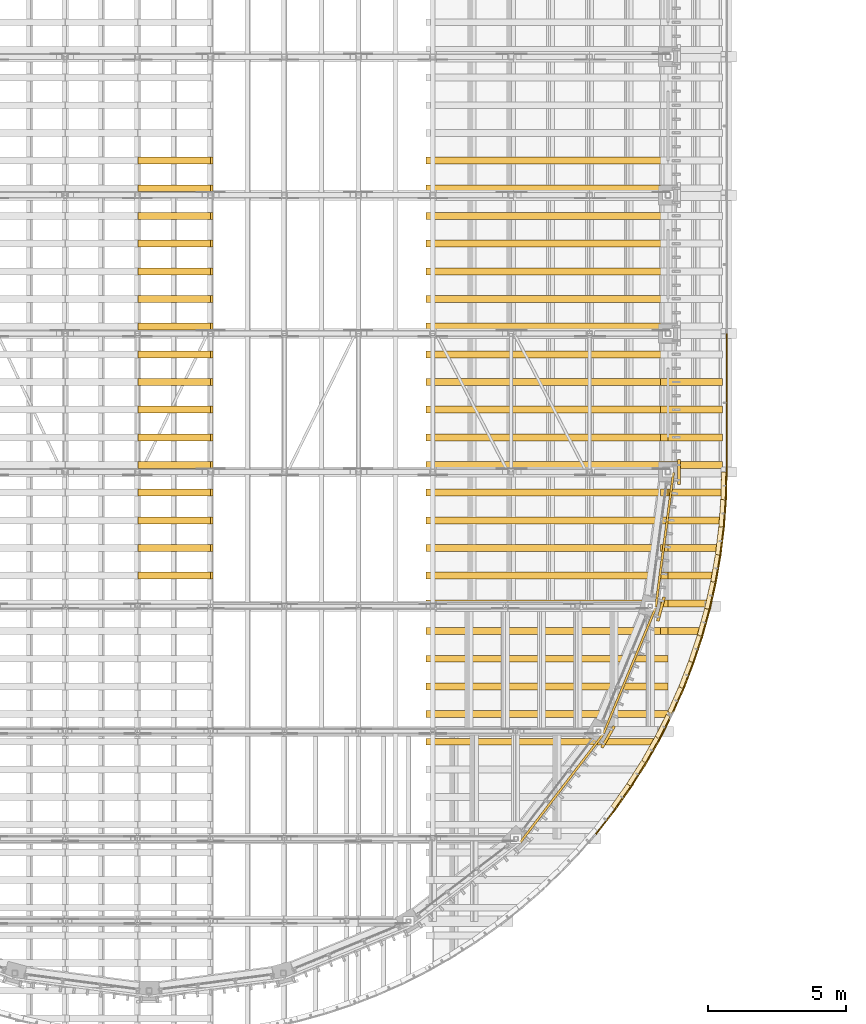
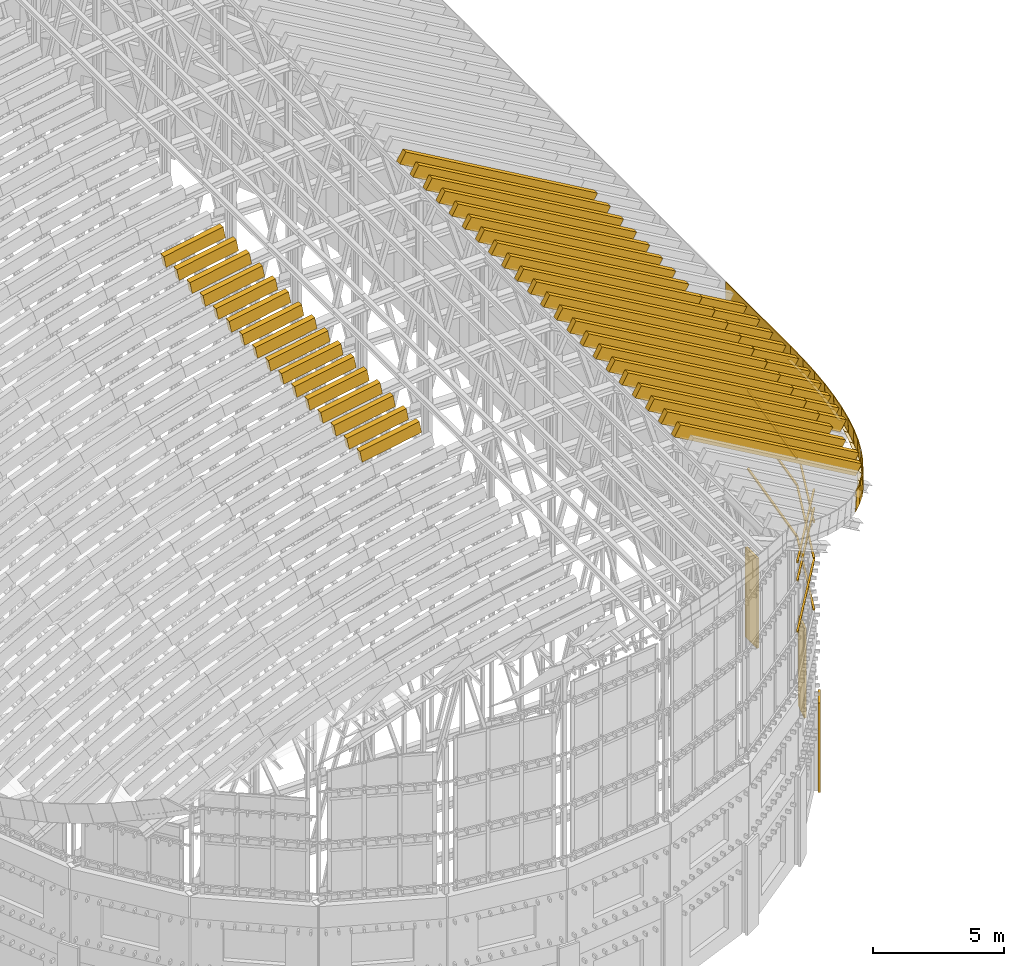
# One storey, part 87 of 105: 88 coverings.
"""IFC4 building model written with IfcOpenShell, lengths in metres."""

from ifc_helpers import new_model, si_unit, direction, frame, origin, origin_2d, place, context, subcontext, project, spatial, polyline, rectangle, outline, extrude, material, layer, layer_set, material_profile, profile_set, type_object, element, save


model = new_model("IFC4")

# Units and contexts
model_context = context("Model", 3, precision=1e-05, world=origin(), true_north=direction((0.0, 1.0)))
body_context = subcontext(model_context, "Body", "Model", "MODEL_VIEW")
ifc_project = project(units=[si_unit("LENGTHUNIT", "METRE"), si_unit("AREAUNIT", "SQUARE_METRE"), si_unit("VOLUMEUNIT", "CUBIC_METRE"), si_unit("PLANEANGLEUNIT", "RADIAN"), si_unit("MASSUNIT", "GRAM", prefix="KILO")], contexts=[model_context])

# Site, building, storey
site_placement = place(None, origin())
site = spatial("IfcSite", under=ifc_project, at=site_placement, CompositionType="ELEMENT")
building_placement = place(site_placement, origin())
building = spatial("IfcBuilding", under=site, at=building_placement, Name="Wasatch Bagh Community Centre", CompositionType="ELEMENT")
storey_placement = place(building_placement, frame((0.0, 0.0, 16.800048828125)))
storey = spatial("IfcBuildingStorey", under=building, at=storey_placement, Name="L04", CompositionType="ELEMENT", Elevation=16.800048828125)

# Coverings
ifc_material_1 = material(Name="White precast concrete C40/50", Category="concrete")
ifc_layer = layer(ifc_material_1, 0.10009765625)
ifc_layer_set = layer_set([ifc_layer], Name="White precast concrete C40/50")
covering_type_1 = type_object("IfcCoveringType", Name="MH column casing", PredefinedType="CLADDING", material=ifc_layer_set)
for number, where, z_axis, x_axis, name in (
    (1, (55.14990234375, 35.0, 0.0), (0.0, 0.0, 1.0), (0.0, 1.0, 0.0), "Column casing E1 L04"),
    (2, (52.58447265625, 25.425048828125, 0.0), (0.0, 0.0, 1.0), (0.5, 0.866025403784, 0.0), "Column casing S10 L04"),
    (3, (54.49755859375, 30.043701171875, 0.0), (0.0, 0.0, 1.0), (0.258819045103, 0.965925826289, 0.0), "Column casing S11 L04"),
):
    element("IfcCovering", number, at=place(storey_placement, frame(where, z_axis=z_axis, x_axis=x_axis)), inside=storey, type_object=covering_type_1, Name=name, PredefinedType="CLADDING", context=body_context, shape_type="SweptSolid", body=[
        extrude(rectangle(XDim=0.89990234375, YDim=0.10009765625, at=origin_2d()), origin(), (0.0, 0.0, 1.0), 4.199951171875),
    ])
ifc_material_2 = material(Name="ASTM A653 Grade 50 steel, zinc-aluminium coated", Category="steel")
ifc_material_profile_1 = material_profile(ifc_material_2, outline(polyline([(-0.080078125, 0.0029296875), (0.152099609375, 0.0029296875), (0.152099609375, -0.031982421875), (0.14892578125, -0.031982421875), (0.14892578125, 0.0), (-0.080078125, 0.0), (-0.080078125, 0.0029296875)])), Name="DRIP EDGE")
ifc_profile_set_1 = profile_set([ifc_material_profile_1], Name="ASTM A653 Grade 50 steel, zinc-aluminium coated")
covering_type_2 = type_object("IfcCoveringType", Name="MH drip edge", PredefinedType="CLADDING", material=ifc_profile_set_1)
covering_1_placement = place(storey_placement, frame((56.75, 34.99609375, 12.657470703125), z_axis=(-0.024632773831, -0.999597962047, 0.014040681083), x_axis=(0.865676575734, -0.028352948585, -0.499800136587)))
element("IfcCovering", 4, at=covering_1_placement, inside=storey, type_object=covering_type_2, Name="Drip edge 1", PredefinedType="CLADDING", context=body_context, shape_type="SweptSolid", body=[
    extrude(outline(polyline([(-0.080078125, 0.0029296875), (0.152099609375, 0.0029296875), (0.152099609375, -0.031982421875), (0.14892578125, -0.031982421875), (0.14892578125, 0.0), (-0.080078125, 0.0), (-0.080078125, 0.0029296875)])), origin(), (0.0, 0.0, 1.0), 0.9912109375),
])
covering_2_placement = place(storey_placement, frame((56.72509765625, 33.99755859375, 12.671630859375), z_axis=(-0.073351333397, -0.996396636215, 0.042583156637), x_axis=(0.862907939356, -0.084815696918, -0.498192920216)))
element("IfcCovering", 5, at=covering_2_placement, inside=storey, type_object=covering_type_2, Name="Drip edge 2", PredefinedType="CLADDING", context=body_context, shape_type="SweptSolid", body=[
    extrude(outline(polyline([(-0.080078125, 0.0029296875), (0.152099609375, 0.0029296875), (0.152099609375, -0.031982421875), (0.14892578125, -0.031982421875), (0.14892578125, 0.0), (-0.080078125, 0.0), (-0.080078125, 0.0029296875)])), origin(), (0.0, 0.0, 1.0), 0.991943359375),
])
covering_3_placement = place(storey_placement, frame((56.651611328125, 33.00146484375, 12.71435546875), z_axis=(-0.122154734654, -0.990018654301, 0.070294273865), x_axis=(0.857379658969, -0.140936242514, -0.495012217963)))
element("IfcCovering", 6, at=covering_3_placement, inside=storey, type_object=covering_type_2, Name="Drip edge 3", PredefinedType="CLADDING", context=body_context, shape_type="SweptSolid", body=[
    extrude(outline(polyline([(-0.080078125, 0.0029296875), (0.152099609375, 0.0029296875), (0.152099609375, -0.031982421875), (0.14892578125, -0.031982421875), (0.14892578125, 0.0), (-0.080078125, 0.0), (-0.080078125, 0.0029296875)])), origin(), (0.0, 0.0, 1.0), 0.993408203125),
])
covering_4_placement = place(storey_placement, frame((56.529052734375, 32.010009765625, 12.784912109375), z_axis=(-0.17020010461, -0.980489939813, 0.09834328811), x_axis=(0.849125844548, -0.196569259266, -0.490250779124)))
element("IfcCovering", 7, at=covering_4_placement, inside=storey, type_object=covering_type_2, Name="Drip edge 4", PredefinedType="CLADDING", context=body_context, shape_type="SweptSolid", body=[
    extrude(outline(polyline([(-0.080078125, 0.0029296875), (0.152099609375, 0.0029296875), (0.152099609375, -0.031982421875), (0.14892578125, -0.031982421875), (0.14892578125, 0.0), (-0.080078125, 0.0), (-0.080078125, 0.0029296875)])), origin(), (0.0, 0.0, 1.0), 0.99560546875),
])
covering_5_placement = place(storey_placement, frame((56.358154296875, 31.026123046875, 12.883544921875), z_axis=(-0.21730734679, -0.967983232047, 0.125642267998), x_axis=(0.838301819857, -0.251014818657, -0.483985144028)))
element("IfcCovering", 8, at=covering_5_placement, inside=storey, type_object=covering_type_2, Name="Drip edge 5", PredefinedType="CLADDING", context=body_context, shape_type="SweptSolid", body=[
    extrude(outline(polyline([(-0.080078125, 0.0029296875), (0.152099609375, 0.0029296875), (0.152099609375, -0.031982421875), (0.14892578125, -0.031982421875), (0.14892578125, 0.0), (-0.080078125, 0.0), (-0.080078125, 0.0029296875)])), origin(), (0.0, 0.0, 1.0), 0.998779296875),
])
covering_6_placement = place(storey_placement, frame((56.13916015625, 30.051513671875, 13.010009765625), z_axis=(-0.263697621566, -0.952525480672, 0.152180067848), x_axis=(0.824903968921, -0.304458872788, -0.476275379207)))
element("IfcCovering", 9, at=covering_6_placement, inside=storey, type_object=covering_type_2, Name="Drip edge 6", PredefinedType="CLADDING", context=body_context, shape_type="SweptSolid", body=[
    extrude(outline(polyline([(-0.080078125, 0.0029296875), (0.152099609375, 0.0029296875), (0.152099609375, -0.031982421875), (0.14892578125, -0.031982421875), (0.14892578125, 0.0), (-0.080078125, 0.0), (-0.080078125, 0.0029296875)])), origin(), (0.0, 0.0, 1.0), 1.002685546875),
])
covering_7_placement = place(storey_placement, frame((55.87255859375, 29.0888671875, 13.1640625), z_axis=(-0.308620162801, -0.934345724615, 0.178189960455), x_axis=(0.809171085906, -0.356367881279, -0.467166016451)))
element("IfcCovering", 10, at=covering_7_placement, inside=storey, type_object=covering_type_2, Name="Drip edge 7", PredefinedType="CLADDING", context=body_context, shape_type="SweptSolid", body=[
    extrude(outline(polyline([(-0.080078125, 0.0029296875), (0.152099609375, 0.0029296875), (0.152099609375, -0.031982421875), (0.14892578125, -0.031982421875), (0.14892578125, 0.0), (-0.080078125, 0.0), (-0.080078125, 0.0029296875)])), origin(), (0.0, 0.0, 1.0), 1.007080078125),
])
covering_8_placement = place(storey_placement, frame((55.55908203125, 28.140625, 13.344970703125), z_axis=(-0.352399016954, -0.913439477895, 0.203576160376), x_axis=(0.791057287422, -0.40697458411, -0.456727551068)))
element("IfcCovering", 11, at=covering_8_placement, inside=storey, type_object=covering_type_2, Name="Drip edge 8", PredefinedType="CLADDING", context=body_context, shape_type="SweptSolid", body=[
    extrude(outline(polyline([(-0.080078125, 0.0029296875), (0.152099609375, 0.0029296875), (0.152099609375, -0.031982421875), (0.14892578125, -0.031982421875), (0.14892578125, 0.0), (-0.080078125, 0.0), (-0.080078125, 0.0029296875)])), origin(), (0.0, 0.0, 1.0), 1.01220703125),
])
covering_9_placement = place(storey_placement, frame((55.199462890625, 27.208740234375, 13.552734375), z_axis=(-0.394606440293, -0.890203343422, 0.227648335464), x_axis=(0.770938033808, -0.455563374735, -0.445102864098)))
element("IfcCovering", 12, at=covering_9_placement, inside=storey, type_object=covering_type_2, Name="Drip edge 9", PredefinedType="CLADDING", context=body_context, shape_type="SweptSolid", body=[
    extrude(outline(polyline([(-0.080078125, 0.0029296875), (0.152099609375, 0.0029296875), (0.152099609375, -0.031982421875), (0.14892578125, -0.031982421875), (0.14892578125, 0.0), (-0.080078125, 0.0), (-0.080078125, 0.0029296875)])), origin(), (0.0, 0.0, 1.0), 1.017822265625),
])
covering_10_placement = place(storey_placement, frame((54.748291015625, 26.2041015625, 13.81298828125), z_axis=(-0.435192259549, -0.864532300448, 0.251379391976), x_axis=(0.748704241973, -0.50257725153, -0.432270822861)))
element("IfcCovering", 13, at=covering_10_placement, inside=storey, type_object=covering_type_2, Name="Drip edge 11", PredefinedType="CLADDING", context=body_context, shape_type="SweptSolid", body=[
    extrude(outline(polyline([(-0.080078125, 0.0029296875), (0.152099609375, 0.0029296875), (0.152099609375, -0.031982421875), (0.14892578125, -0.031982421875), (0.14892578125, 0.0), (-0.080078125, 0.0), (-0.080078125, 0.0029296875)])), origin(), (0.0, 0.0, 1.0), 0.917724609375),
])
covering_11_placement = place(storey_placement, frame((54.34521484375, 25.40380859375, 14.0458984375), z_axis=(-0.474014729858, -0.836928556016, 0.273606703141), x_axis=(0.724813701103, -0.547312151294, -0.418442956374)))
element("IfcCovering", 14, at=covering_11_placement, inside=storey, type_object=covering_type_2, Name="Drip edge 12", PredefinedType="CLADDING", context=body_context, shape_type="SweptSolid", body=[
    extrude(outline(polyline([(-0.080078125, 0.0029296875), (0.152099609375, 0.0029296875), (0.152099609375, -0.031982421875), (0.14892578125, -0.031982421875), (0.14892578125, 0.0), (-0.080078125, 0.0), (-0.080078125, 0.0029296875)])), origin(), (0.0, 0.0, 1.0), 1.030517578125),
])
covering_12_placement = place(storey_placement, frame((53.852783203125, 24.53466796875, 14.330078125), z_axis=(-0.511164958761, -0.807226431192, 0.2951201005), x_axis=(0.699079319041, -0.590241890062, -0.403611963283)))
element("IfcCovering", 15, at=covering_12_placement, inside=storey, type_object=covering_type_2, Name="Drip edge 13", PredefinedType="CLADDING", context=body_context, shape_type="SweptSolid", body=[
    extrude(outline(polyline([(-0.080078125, 0.0029296875), (0.152099609375, 0.0029296875), (0.152099609375, -0.031982421875), (0.14892578125, -0.031982421875), (0.14892578125, 0.0), (-0.080078125, 0.0), (-0.080078125, 0.0029296875)])), origin(), (0.0, 0.0, 1.0), 1.037353515625),
])
covering_13_placement = place(storey_placement, frame((53.318115234375, 23.691162109375, 14.638671875), z_axis=(-0.546205941691, -0.775953669839, 0.315523329603), x_axis=(0.672033962451, -0.630789882254, -0.387910399137)))
element("IfcCovering", 16, at=covering_13_placement, inside=storey, type_object=covering_type_2, Name="Drip edge 14", PredefinedType="CLADDING", context=body_context, shape_type="SweptSolid", body=[
    extrude(outline(polyline([(-0.080078125, 0.0029296875), (0.152099609375, 0.0029296875), (0.152099609375, -0.031982421875), (0.14892578125, -0.031982421875), (0.14892578125, 0.0), (-0.080078125, 0.0), (-0.080078125, 0.0029296875)])), origin(), (0.0, 0.0, 1.0), 1.044677734375),
])
ifc_material_profile_2 = material_profile(ifc_material_2, rectangle(XDim=0.0400390625, YDim=0.85009765625, at=origin_2d()), Name="FASCIA 40x850")
ifc_profile_set_2 = profile_set([ifc_material_profile_2], Name="ASTM A653 Grade 50 steel, zinc-aluminium coated")
covering_type_3 = type_object("IfcCoveringType", Name="MH eave fascia 40x850", PredefinedType="CLADDING", material=ifc_profile_set_2)
covering_14_placement = place(storey_placement, frame((56.869873046875, 34.9931640625, 12.782470703125), z_axis=(-0.024632687889, -0.99959447452, 0.014286958975), x_axis=(0.999696507351, -0.024635202251, 0.0)))
element("IfcCovering", 17, at=covering_14_placement, inside=storey, type_object=covering_type_3, Name="Eave fascia 1", PredefinedType="CLADDING", context=body_context, shape_type="SweptSolid", body=[
    extrude(rectangle(XDim=0.0400390625, YDim=0.85009765625, at=origin_2d()), origin(), (0.0, 0.0, 1.0), 0.9912109375),
])
covering_15_placement = place(storey_placement, frame((56.844970703125, 33.98876953125, 12.797119140625), z_axis=(-0.073596916972, -0.996389029777, 0.042336688024), x_axis=(0.997283193411, -0.07366296315, 0.0)))
element("IfcCovering", 18, at=covering_15_placement, inside=storey, type_object=covering_type_3, Name="Eave fascia 2", PredefinedType="CLADDING", context=body_context, shape_type="SweptSolid", body=[
    extrude(rectangle(XDim=0.0400390625, YDim=0.85009765625, at=origin_2d()), origin(), (0.0, 0.0, 1.0), 0.991943359375),
])
covering_16_placement = place(storey_placement, frame((56.7705078125, 32.98681640625, 12.84033203125), z_axis=(-0.121910497055, -0.990031213986, 0.070540952933), x_axis=(0.992503655573, -0.122214948651, 0.0)))
element("IfcCovering", 19, at=covering_16_placement, inside=storey, type_object=covering_type_3, Name="Eave fascia 3", PredefinedType="CLADDING", context=body_context, shape_type="SweptSolid", body=[
    extrude(rectangle(XDim=0.0400390625, YDim=0.85009765625, at=origin_2d()), origin(), (0.0, 0.0, 1.0), 0.993408203125),
])
covering_17_placement = place(storey_placement, frame((56.647216796875, 31.989501953125, 12.912109375), z_axis=(-0.170204204562, -0.980513558843, 0.098100406087), x_axis=(0.98526596737, -0.171029159919, 0.0)))
element("IfcCovering", 20, at=covering_17_placement, inside=storey, type_object=covering_type_3, Name="Eave fascia 4", PredefinedType="CLADDING", context=body_context, shape_type="SweptSolid", body=[
    extrude(rectangle(XDim=0.0400390625, YDim=0.85009765625, at=origin_2d()), origin(), (0.0, 0.0, 1.0), 0.995361328125),
])
covering_18_placement = place(storey_placement, frame((56.47509765625, 30.999755859375, 13.011962890625), z_axis=(-0.21730734679, -0.967983232047, 0.125642267998), x_axis=(0.975715177411, -0.219043129474, 0.0)))
element("IfcCovering", 21, at=covering_18_placement, inside=storey, type_object=covering_type_3, Name="Eave fascia 5", PredefinedType="CLADDING", context=body_context, shape_type="SweptSolid", body=[
    extrude(rectangle(XDim=0.0400390625, YDim=0.85009765625, at=origin_2d()), origin(), (0.0, 0.0, 1.0), 0.998779296875),
])
covering_19_placement = place(storey_placement, frame((56.254638671875, 30.01953125, 13.14013671875), z_axis=(-0.263471042938, -0.952586617349, 0.152189835338), x_axis=(0.963813813946, -0.266576315616, 0.0)))
element("IfcCovering", 22, at=covering_19_placement, inside=storey, type_object=covering_type_3, Name="Eave fascia 6", PredefinedType="CLADDING", context=body_context, shape_type="SweptSolid", body=[
    extrude(rectangle(XDim=0.0400390625, YDim=0.85009765625, at=origin_2d()), origin(), (0.0, 0.0, 1.0), 1.002685546875),
])
covering_20_placement = place(storey_placement, frame((55.986328125, 29.05126953125, 13.2958984375), z_axis=(-0.308620162801, -0.934345724615, 0.178189960455), x_axis=(0.949542094991, -0.31363961778, 0.0)))
element("IfcCovering", 23, at=covering_20_placement, inside=storey, type_object=covering_type_3, Name="Eave fascia 7", PredefinedType="CLADDING", context=body_context, shape_type="SweptSolid", body=[
    extrude(rectangle(XDim=0.0400390625, YDim=0.85009765625, at=origin_2d()), origin(), (0.0, 0.0, 1.0), 1.007080078125),
])
covering_21_placement = place(storey_placement, frame((55.6708984375, 28.097412109375, 13.47900390625), z_axis=(-0.352416311959, -0.913484307589, 0.203344935648), x_axis=(0.932976840398, -0.359936404495, 0.0)))
element("IfcCovering", 24, at=covering_21_placement, inside=storey, type_object=covering_type_3, Name="Eave fascia 8", PredefinedType="CLADDING", context=body_context, shape_type="SweptSolid", body=[
    extrude(rectangle(XDim=0.0400390625, YDim=0.85009765625, at=origin_2d()), origin(), (0.0, 0.0, 1.0), 1.01220703125),
])
covering_22_placement = place(storey_placement, frame((55.30908203125, 27.16015625, 13.688720703125), z_axis=(-0.394584881717, -0.890154708846, 0.227875767557), x_axis=(0.914207306635, -0.405246838969, 0.0)))
element("IfcCovering", 25, at=covering_22_placement, inside=storey, type_object=covering_type_3, Name="Eave fascia 9", PredefinedType="CLADDING", context=body_context, shape_type="SweptSolid", body=[
    extrude(rectangle(XDim=0.0400390625, YDim=0.85009765625, at=origin_2d()), origin(), (0.0, 0.0, 1.0), 1.017822265625),
])
covering_23_placement = place(storey_placement, frame((54.85546875, 26.150146484375, 13.95166015625), z_axis=(-0.435192259549, -0.864532300448, 0.251379391976), x_axis=(0.893214645875, -0.44963051097, 0.0)))
element("IfcCovering", 26, at=covering_23_placement, inside=storey, type_object=covering_type_3, Name="Eave fascia 11", PredefinedType="CLADDING", context=body_context, shape_type="SweptSolid", body=[
    extrude(rectangle(XDim=0.0400390625, YDim=0.85009765625, at=origin_2d()), origin(), (0.0, 0.0, 1.0), 0.917724609375),
])
covering_24_placement = place(storey_placement, frame((54.44970703125, 25.344482421875, 14.18701171875), z_axis=(-0.474108722242, -0.836857574691, 0.273660956616), x_axis=(0.870071490855, -0.492925553001, 0.0)))
element("IfcCovering", 27, at=covering_24_placement, inside=storey, type_object=covering_type_3, Name="Eave fascia 12", PredefinedType="CLADDING", context=body_context, shape_type="SweptSolid", body=[
    extrude(rectangle(XDim=0.0400390625, YDim=0.85009765625, at=origin_2d()), origin(), (0.0, 0.0, 1.0), 1.030517578125),
])
covering_25_placement = place(storey_placement, frame((53.9541015625, 24.470458984375, 14.47412109375), z_axis=(-0.511164958761, -0.807226431192, 0.2951201005), x_axis=(0.844856186618, -0.534993480272, 0.0)))
element("IfcCovering", 28, at=covering_25_placement, inside=storey, type_object=covering_type_3, Name="Eave fascia 13", PredefinedType="CLADDING", context=body_context, shape_type="SweptSolid", body=[
    extrude(rectangle(XDim=0.0400390625, YDim=0.85009765625, at=origin_2d()), origin(), (0.0, 0.0, 1.0), 1.037353515625),
])
covering_26_placement = place(storey_placement, frame((53.416259765625, 23.621826171875, 14.785400390625), z_axis=(-0.546468977282, -0.775761563559, 0.315540256343), x_axis=(0.817527238816, -0.575889932013, 0.0)))
element("IfcCovering", 29, at=covering_26_placement, inside=storey, type_object=covering_type_3, Name="Eave fascia 14", PredefinedType="CLADDING", context=body_context, shape_type="SweptSolid", body=[
    extrude(rectangle(XDim=0.0400390625, YDim=0.85009765625, at=origin_2d()), origin(), (0.0, 0.0, 1.0), 1.04443359375),
])
covering_27_placement = place(storey_placement, frame((52.837646484375, 22.80078125, 15.120361328125), z_axis=(-0.579743599682, -0.742898023451, 0.334663839368), x_axis=(0.788356571195, -0.615218592579, 0.0)))
element("IfcCovering", 30, at=covering_27_placement, inside=storey, type_object=covering_type_3, Name="Eave fascia 15", PredefinedType="CLADDING", context=body_context, shape_type="SweptSolid", body=[
    extrude(rectangle(XDim=0.0400390625, YDim=0.85009765625, at=origin_2d()), origin(), (0.0, 0.0, 1.0), 1.052001953125),
])
covering_28_placement = place(storey_placement, frame((56.8701171875, 39.99609375, 12.782470703125), z_axis=(0.0, -1.0, 0.0), x_axis=(1.0, 0.0, 0.0)))
element("IfcCovering", 31, at=covering_28_placement, inside=storey, type_object=covering_type_3, Name="Eave fascia 166", PredefinedType="CLADDING", context=body_context, shape_type="SweptSolid", body=[
    extrude(rectangle(XDim=0.0400390625, YDim=0.85009765625, at=origin_2d()), origin(), (0.0, 0.0, 1.0), 4.9921875),
])
ifc_material_3 = material(Name="Aluminium extrusion", Category="aluminium")
ifc_material_profile_3 = material_profile(ifc_material_3, rectangle(XDim=0.080078125, YDim=0.080078125, at=origin_2d()), Name="AL 80x80")
ifc_profile_set_3 = profile_set([ifc_material_profile_3], Name="Aluminium extrusion")
covering_type_4 = type_object("IfcCoveringType", Name="MH fin rail 80x80", PredefinedType="CLADDING", material=ifc_profile_set_3)
for number, where, z_axis, x_axis, name in (
    (32, (49.4169921875, 21.6201171875, 10.599853515625), (0.60878228298, 0.793337338041, 0.0), (-0.793337338041, 0.60878228298, 0.0), "Fin rail 10.2"),
    (33, (49.4169921875, 21.6201171875, 13.0), (0.60878228298, 0.793337338041, 0.0), (-0.793337338041, 0.60878228298, 0.0), "Fin rail 10.3"),
    (34, (49.4169921875, 21.6201171875, 13.869873046875), (0.60878228298, 0.793337338041, 0.0), (-0.793337338041, 0.60878228298, 0.0), "Fin rail 10.4"),
    (35, (52.4228515625, 25.548583984375, 8.199951171875), (0.382680724471, 0.923880654153, 0.0), (-0.923880654153, 0.382680724471, 0.0), "Fin rail 11.1"),
    (36, (52.4228515625, 25.548583984375, 10.599853515625), (0.382680724471, 0.923880654153, 0.0), (-0.923880654153, 0.382680724471, 0.0), "Fin rail 11.2"),
    (37, (52.4228515625, 25.548583984375, 12.2900390625), (0.382680724471, 0.923880654153, 0.0), (-0.923880654153, 0.382680724471, 0.0), "Fin rail 11.3"),
):
    element("IfcCovering", number, at=place(storey_placement, frame(where, z_axis=z_axis, x_axis=x_axis)), inside=storey, type_object=covering_type_4, Name=name, PredefinedType="CLADDING", context=body_context, shape_type="SweptSolid", body=[
        extrude(rectangle(XDim=0.080078125, YDim=0.080078125, at=origin_2d()), origin(), (0.0, 0.0, 1.0), 4.89453125),
    ])
for number, where, z_axis, x_axis, name in (
    (38, (54.309326171875, 30.12109375, 8.199951171875), (0.130533218363, 0.991443936339, 0.0), (-0.991443936339, 0.130533218363, 0.0), "Fin rail 12.1"),
    (39, (54.309326171875, 30.12109375, 10.599853515625), (0.130533218363, 0.991443936339, 0.0), (-0.991443936339, 0.130533218363, 0.0), "Fin rail 12.2"),
    (40, (54.309326171875, 30.12109375, 11.849853515625), (0.130533218363, 0.991443936339, 0.0), (-0.991443936339, 0.130533218363, 0.0), "Fin rail 12.3"),
):
    element("IfcCovering", number, at=place(storey_placement, frame(where, z_axis=z_axis, x_axis=x_axis)), inside=storey, type_object=covering_type_4, Name=name, PredefinedType="CLADDING", context=body_context, shape_type="SweptSolid", body=[
        extrude(rectangle(XDim=0.080078125, YDim=0.080078125, at=origin_2d()), origin(), (0.0, 0.0, 1.0), 4.894775390625),
    ])
covering_type_5 = type_object("IfcCoveringType", Name="MH roll-over fin rib", PredefinedType="ROOFING", material=ifc_material_2)
for number, where, z_axis, x_axis, name in (
    (41, (35.59326171875, 31.125, 18.103515625), (-0.179779044662, 0.0, 0.983707016901), (0.983707016901, 0.0, 0.179779044662), "Seam rib 9.17"),
    (42, (35.59326171875, 32.125, 18.103515625), (-0.179779044662, 0.0, 0.983707016901), (0.983707016901, 0.0, 0.179779044662), "Seam rib 9.18"),
    (43, (35.59326171875, 33.125, 18.103515625), (-0.179779044662, 0.0, 0.983707016901), (0.983707016901, 0.0, 0.179779044662), "Seam rib 9.19"),
    (44, (35.59326171875, 34.125, 18.103515625), (-0.179779044662, 0.0, 0.983707016901), (0.983707016901, 0.0, 0.179779044662), "Seam rib 9.20"),
    (45, (35.59326171875, 35.125, 18.103515625), (-0.179779044662, 0.0, 0.983707016901), (0.983707016901, 0.0, 0.179779044662), "Seam rib 9.21"),
    (46, (35.59326171875, 36.125, 18.103515625), (-0.179779044662, 0.0, 0.983707016901), (0.983707016901, 0.0, 0.179779044662), "Seam rib 9.22"),
    (47, (35.59326171875, 37.125, 18.103515625), (-0.179779044662, 0.0, 0.983707016901), (0.983707016901, 0.0, 0.179779044662), "Seam rib 9.23"),
    (48, (35.59326171875, 38.125, 18.103515625), (-0.179779044662, 0.0, 0.983707016901), (0.983707016901, 0.0, 0.179779044662), "Seam rib 9.24"),
    (49, (35.59326171875, 39.125, 18.103515625), (-0.179779044662, 0.0, 0.983707016901), (0.983707016901, 0.0, 0.179779044662), "Seam rib 9.25"),
    (50, (35.59326171875, 40.125, 18.103515625), (-0.179779044662, 0.0, 0.983707016901), (0.983707016901, 0.0, 0.179779044662), "Seam rib 9.26"),
    (51, (35.59326171875, 41.125, 18.103515625), (-0.179779044662, 0.0, 0.983707016901), (0.983707016901, 0.0, 0.179779044662), "Seam rib 9.27"),
    (52, (35.59326171875, 42.125, 18.103515625), (-0.179779044662, 0.0, 0.983707016901), (0.983707016901, 0.0, 0.179779044662), "Seam rib 9.28"),
    (53, (35.59326171875, 43.125, 18.103515625), (-0.179779044662, 0.0, 0.983707016901), (0.983707016901, 0.0, 0.179779044662), "Seam rib 9.29"),
    (54, (35.59326171875, 44.125, 18.103515625), (-0.179779044662, 0.0, 0.983707016901), (0.983707016901, 0.0, 0.179779044662), "Seam rib 9.30"),
    (55, (35.59326171875, 45.125, 18.103515625), (-0.179779044662, 0.0, 0.983707016901), (0.983707016901, 0.0, 0.179779044662), "Seam rib 9.31"),
    (56, (35.59326171875, 46.125, 18.103515625), (-0.179779044662, 0.0, 0.983707016901), (0.983707016901, 0.0, 0.179779044662), "Seam rib 9.32"),
):
    element("IfcCovering", number, at=place(storey_placement, frame(where, z_axis=z_axis, x_axis=x_axis)), inside=storey, type_object=covering_type_5, Name=name, PredefinedType="ROOFING", context=body_context, shape_type="SweptSolid", body=[
        extrude(outline(polyline([(0.0, 0.0), (2.6684774581252992, 0.0), (2.6684774581252992, 0.25), (0.0, 0.25), (0.0, 0.0)])), origin(), (0.0, 0.0, -1.0), 0.550048828125),
    ])
covering_29_placement = place(storey_placement, frame((46.28857421875, 25.125, 19.247314453125), z_axis=(0.500010497188, 0.0, 0.866019343146), x_axis=(0.866019343146, 0.0, -0.500010497188)))
element("IfcCovering", 57, at=covering_29_placement, inside=storey, type_object=covering_type_5, Name="Seam rib 13.8", PredefinedType="ROOFING", context=body_context, shape_type="SweptSolid", body=[
    extrude(outline(polyline([(0.0, 0.0), (9.244434825117416, 0.0), (9.244434825117416, 0.25), (0.0, 0.25), (0.0, 0.0)])), origin(), (0.0, 0.0, -1.0), 0.550048828125),
])
for number, where, z_axis, x_axis, name in (
    (58, (46.28857421875, 26.125, 19.247314453125), (0.499992249874, 0.0, 0.866029878276), (0.866029878276, 0.0, -0.499992249874), "Seam rib 13.9"),
    (59, (46.28857421875, 27.125, 19.247314453125), (0.499992249874, 0.0, 0.866029878276), (0.866029878276, 0.0, -0.499992249874), "Seam rib 13.10"),
    (60, (46.28857421875, 28.125, 19.247314453125), (0.499992249874, 0.0, 0.866029878276), (0.866029878276, 0.0, -0.499992249874), "Seam rib 13.11"),
    (61, (46.28857421875, 29.125, 19.247314453125), (0.499992249874, 0.0, 0.866029878276), (0.866029878276, 0.0, -0.499992249874), "Seam rib 13.12"),
    (62, (46.28857421875, 30.125, 19.247314453125), (0.499992249874, 0.0, 0.866029878276), (0.866029878276, 0.0, -0.499992249874), "Seam rib 13.13"),
    (63, (46.28857421875, 31.125, 19.247314453125), (0.499992249874, 0.0, 0.866029878276), (0.866029878276, 0.0, -0.499992249874), "Seam rib 13.14"),
    (64, (46.28857421875, 32.125, 19.247314453125), (0.499992249874, 0.0, 0.866029878276), (0.866029878276, 0.0, -0.499992249874), "Seam rib 13.15"),
    (65, (46.28857421875, 33.125, 19.247314453125), (0.499992249874, 0.0, 0.866029878276), (0.866029878276, 0.0, -0.499992249874), "Seam rib 13.16"),
    (66, (46.28857421875, 34.125, 19.247314453125), (0.499992249874, 0.0, 0.866029878276), (0.866029878276, 0.0, -0.499992249874), "Seam rib 13.17"),
    (67, (46.28857421875, 35.125, 19.247314453125), (0.499992249874, 0.0, 0.866029878276), (0.866029878276, 0.0, -0.499992249874), "Seam rib 13.18"),
    (68, (46.28857421875, 36.125, 19.247314453125), (0.499992249874, 0.0, 0.866029878276), (0.866029878276, 0.0, -0.499992249874), "Seam rib 13.19"),
    (69, (46.28857421875, 37.125, 19.247314453125), (0.499992249874, 0.0, 0.866029878276), (0.866029878276, 0.0, -0.499992249874), "Seam rib 13.20"),
    (70, (46.28857421875, 38.125, 19.247314453125), (0.499992249874, 0.0, 0.866029878276), (0.866029878276, 0.0, -0.499992249874), "Seam rib 13.21"),
    (71, (46.28857421875, 39.125, 19.247314453125), (0.499992249874, 0.0, 0.866029878276), (0.866029878276, 0.0, -0.499992249874), "Seam rib 13.22"),
    (72, (46.28857421875, 40.125, 19.247314453125), (0.499992249874, 0.0, 0.866029878276), (0.866029878276, 0.0, -0.499992249874), "Seam rib 13.23"),
    (73, (46.28857421875, 41.125, 19.247314453125), (0.499992249874, 0.0, 0.866029878276), (0.866029878276, 0.0, -0.499992249874), "Seam rib 13.24"),
    (74, (46.28857421875, 42.125, 19.247314453125), (0.499992249874, 0.0, 0.866029878276), (0.866029878276, 0.0, -0.499992249874), "Seam rib 13.25"),
    (75, (46.28857421875, 43.125, 19.247314453125), (0.499992249874, 0.0, 0.866029878276), (0.866029878276, 0.0, -0.499992249874), "Seam rib 13.26"),
    (76, (46.28857421875, 44.125, 19.247314453125), (0.499992249874, 0.0, 0.866029878276), (0.866029878276, 0.0, -0.499992249874), "Seam rib 13.27"),
    (77, (46.28857421875, 45.125, 19.247314453125), (0.499992249874, 0.0, 0.866029878276), (0.866029878276, 0.0, -0.499992249874), "Seam rib 13.28"),
    (78, (46.28857421875, 46.125, 19.247314453125), (0.499992249874, 0.0, 0.866029878276), (0.866029878276, 0.0, -0.499992249874), "Seam rib 13.29"),
):
    element("IfcCovering", number, at=place(storey_placement, frame(where, z_axis=z_axis, x_axis=x_axis)), inside=storey, type_object=covering_type_5, Name=name, PredefinedType="ROOFING", context=body_context, shape_type="SweptSolid", body=[
        extrude(outline(polyline([(0.0, 0.0), (9.765288083177396, 0.0), (9.765288083177396, 0.24999999999999997), (0.0, 0.24999999999999997), (0.0, 0.0)])), origin(), (0.0, 0.0, -1.0), 0.550048828125),
    ])
covering_30_placement = place(storey_placement, frame((54.75439453125, 29.125, 14.359375), z_axis=(0.499863709433, 0.0, 0.866104076882), x_axis=(0.866104076882, 0.0, -0.499863709433)))
element("IfcCovering", 79, at=covering_30_placement, inside=storey, type_object=covering_type_5, Name="Seam rib 14.3", PredefinedType="ROOFING", context=body_context, shape_type="SweptSolid", body=[
    extrude(outline(polyline([(0.0, 0.0), (1.3465584526789092, 0.0), (1.3465584526789092, 0.25), (0.0, 0.25), (0.0, 0.0)])), origin(), (0.0, 0.0, -1.0), 0.550048828125),
])
covering_31_placement = place(storey_placement, frame((54.75439453125, 30.125, 14.359375), z_axis=(0.499884956861, 0.0, 0.866091813784), x_axis=(0.866091813784, 0.0, -0.499884956861)))
element("IfcCovering", 80, at=covering_31_placement, inside=storey, type_object=covering_type_5, Name="Seam rib 14.4", PredefinedType="ROOFING", context=body_context, shape_type="SweptSolid", body=[
    extrude(outline(polyline([(0.0, 0.0), (1.6473516892693498, 0.0), (1.6473516892693498, 0.25), (0.0, 0.25), (0.0, 0.0)])), origin(), (0.0, 0.0, -1.0), 0.550048828125),
])
covering_32_placement = place(storey_placement, frame((54.75439453125, 31.125, 14.359375), z_axis=(0.499883013527, 0.0, 0.866092935422), x_axis=(0.866092935422, 0.0, -0.499883013527)))
element("IfcCovering", 81, at=covering_32_placement, inside=storey, type_object=covering_type_5, Name="Seam rib 14.5", PredefinedType="ROOFING", context=body_context, shape_type="SweptSolid", body=[
    extrude(outline(polyline([(0.0, 0.0), (1.8866718989334523, 0.0), (1.8866718989334523, 0.25), (0.0, 0.25), (0.0, 0.0)])), origin(), (0.0, 0.0, -1.0), 0.550048828125),
])
covering_33_placement = place(storey_placement, frame((54.75439453125, 32.125, 14.359375), z_axis=(0.499913377567, 0.0, 0.866075409494), x_axis=(0.866075409494, 0.0, -0.499913377567)))
element("IfcCovering", 82, at=covering_33_placement, inside=storey, type_object=covering_type_5, Name="Seam rib 14.6", PredefinedType="ROOFING", context=body_context, shape_type="SweptSolid", body=[
    extrude(outline(polyline([(0.0, 0.0), (2.0662759404478184, 0.0), (2.0662759404478184, 0.25), (0.0, 0.25), (0.0, 0.0)])), origin(), (0.0, 0.0, -1.0), 0.550048828125),
])
covering_34_placement = place(storey_placement, frame((54.75439453125, 33.125, 14.359375), z_axis=(0.499931751136, 0.0, 0.866064803699), x_axis=(0.866064803699, 0.0, -0.499931751136)))
element("IfcCovering", 83, at=covering_34_placement, inside=storey, type_object=covering_type_5, Name="Seam rib 14.7", PredefinedType="ROOFING", context=body_context, shape_type="SweptSolid", body=[
    extrude(outline(polyline([(0.0, 0.0), (2.187798629540233, 0.0), (2.187798629540233, 0.25000000000000006), (0.0, 0.25000000000000006), (0.0, 0.0)])), origin(), (0.0, 0.0, -1.0), 0.550048828125),
])
covering_35_placement = place(storey_placement, frame((54.75439453125, 34.125, 14.359375), z_axis=(0.499928932436, 0.0, 0.866066430774), x_axis=(0.866066430774, 0.0, -0.499928932436)))
element("IfcCovering", 84, at=covering_35_placement, inside=storey, type_object=covering_type_5, Name="Seam rib 14.8", PredefinedType="ROOFING", context=body_context, shape_type="SweptSolid", body=[
    extrude(outline(polyline([(0.0, 0.0), (2.251784901485381, 0.0), (2.251784901485381, 0.25), (0.0, 0.25), (0.0, 0.0)])), origin(), (0.0, 0.0, -1.0), 0.550048828125),
])
for number, where, z_axis, x_axis, name in (
    (85, (54.75439453125, 35.125, 14.359375), (0.499980071345, 0.0, 0.866036909293), (0.866036909293, 0.0, -0.499980071345), "Seam rib 14.9"),
    (86, (54.75439453125, 36.125, 14.359375), (0.499980071345, 0.0, 0.866036909293), (0.866036909293, 0.0, -0.499980071345), "Seam rib 14.10"),
    (87, (54.75439453125, 37.125, 14.359375), (0.499980071345, 0.0, 0.866036909293), (0.866036909293, 0.0, -0.499980071345), "Seam rib 14.11"),
    (88, (54.75439453125, 38.125, 14.359375), (0.499980071345, 0.0, 0.866036909293), (0.866036909293, 0.0, -0.499980071345), "Seam rib 14.12"),
):
    element("IfcCovering", number, at=place(storey_placement, frame(where, z_axis=z_axis, x_axis=x_axis)), inside=storey, type_object=covering_type_5, Name=name, PredefinedType="ROOFING", context=body_context, shape_type="SweptSolid", body=[
        extrude(outline(polyline([(0.0, 0.0), (2.2696217110180323, 0.0), (2.2696217110180323, 0.25), (0.0, 0.25), (0.0, 0.0)])), origin(), (0.0, 0.0, -1.0), 0.550048828125),
    ])

save(model, "model.ifc")
